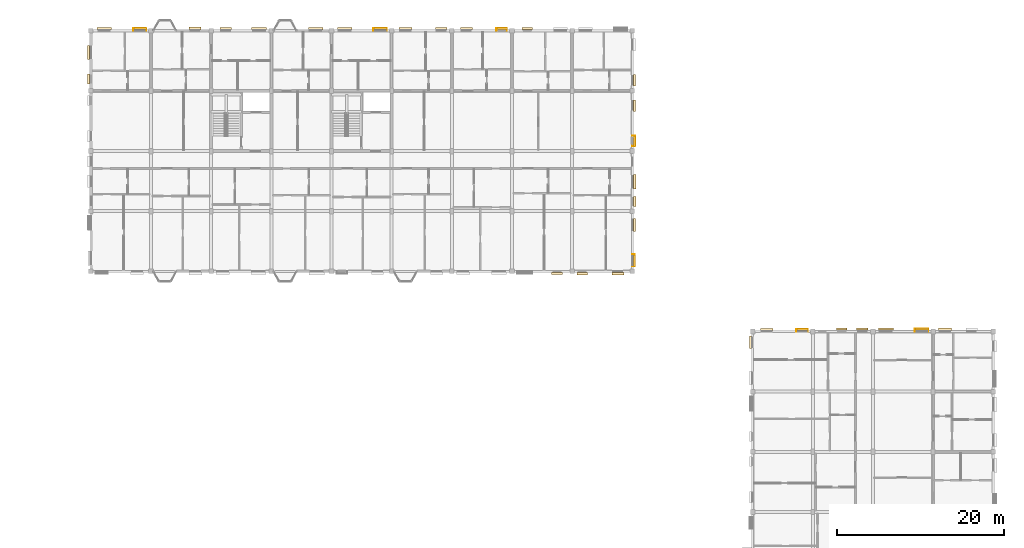
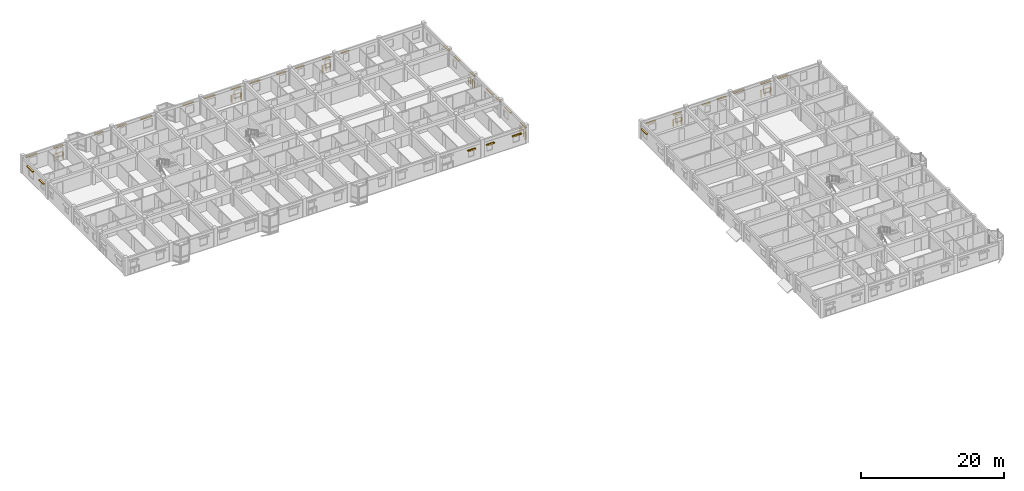
# One storey, part 74 of 75: 33 coverings, 7 railings.
"""IFC4 building model written with IfcOpenShell, lengths in metres."""

from ifc_helpers import new_model, si_unit, direction, frame, origin, origin_2d, place, context, subcontext, project, spatial, rectangle, circle, extrude, material, layer, layer_set, type_object, element, save


model = new_model("IFC4")

# Units and contexts
model_context = context("Model", 3, precision=1e-05, world=origin(), true_north=direction((0.0, 1.0)))
body_context = subcontext(model_context, "Body", "Model", "MODEL_VIEW")
ifc_project = project(units=[si_unit("LENGTHUNIT", "METRE"), si_unit("AREAUNIT", "SQUARE_METRE"), si_unit("VOLUMEUNIT", "CUBIC_METRE"), si_unit("PLANEANGLEUNIT", "RADIAN"), si_unit("MASSUNIT", "GRAM", prefix="KILO"), si_unit("THERMODYNAMICTEMPERATUREUNIT", "KELVIN"), si_unit("POWERUNIT", "WATT")], contexts=[model_context])

# Site, building, storey
site_placement = place(None, origin())
site = spatial("IfcSite", under=ifc_project, at=site_placement, CompositionType="ELEMENT")
building_placement = place(site_placement, origin())
building = spatial("IfcBuilding", under=site, at=building_placement, Name="Tavuni Mirador Residences", CompositionType="ELEMENT")
storey_placement = place(building_placement, frame((0.0, 0.0, 20.25)))
storey = spatial("IfcBuildingStorey", under=building, at=storey_placement, Name="L06", CompositionType="ELEMENT", Elevation=20.25)

# Coverings
ifc_material_1 = material(Name="Natural coral limestone", Category="masonry")
ifc_layer = layer(ifc_material_1, 0.054931640625, Name="Natural coral limestone", Category="masonry")
ifc_layer_set = layer_set([ifc_layer], Name="Natural coral limestone")
covering_type = type_object("IfcCoveringType", Name="CVT-CLAD-CORAL", PredefinedType="CLADDING", material=ifc_layer_set)
for number, where, z_axis, x_axis, name in (
    (1, (66.5849609375, 143.755615234375, 1.955078125), (0.0, 0.0, 1.0), (1.0, 0.0, 0.0), "HOOD-0674"),
    (2, (69.5849609375, 143.712890625, 1.955078125), (0.0, 0.0, 1.0), (1.0, 0.0, 0.0), "HOOD-0675"),
):
    element("IfcCovering", number, at=place(storey_placement, frame(where, z_axis=z_axis, x_axis=x_axis)), inside=storey, type_object=covering_type, Name=name, PredefinedType="CLADDING", context=body_context, shape_type="SweptSolid", body=[
        extrude(rectangle(XDim=1.260009765625, YDim=0.25, at=origin_2d()), origin(), (0.0, 0.0, 1.0), 0.14990234375),
    ])
for number, where, z_axis, x_axis, name in (
    (3, (73.864990234375, 143.712890625, 1.955078125), (0.0, 0.0, 1.0), (1.0, 0.0, 0.0), "HOOD-0676"),
    (4, (75.844482421875, 145.264892578125, 1.955078125), (0.0, 0.0, 1.0), (0.0, 1.0, 0.0), "HOOD-0677"),
):
    element("IfcCovering", number, at=place(storey_placement, frame(where, z_axis=z_axis, x_axis=x_axis)), inside=storey, type_object=covering_type, Name=name, PredefinedType="CLADDING", context=body_context, shape_type="SweptSolid", body=[
        extrude(rectangle(XDim=1.419921875, YDim=0.25, at=origin_2d()), origin(), (0.0, 0.0, 1.0), 0.14990234375),
    ])
covering_1_placement = place(storey_placement, frame((75.844482421875, 149.544921875, 1.955078125), z_axis=(0.0, 0.0, 1.0), x_axis=(0.0, 1.0, 0.0)))
element("IfcCovering", 5, at=covering_1_placement, inside=storey, type_object=covering_type, Name="HOOD-0678", PredefinedType="CLADDING", context=body_context, shape_type="SweptSolid", body=[
    extrude(rectangle(XDim=1.580078125, YDim=0.25, at=origin_2d()), origin(), (0.0, 0.0, 1.0), 0.14990234375),
])
covering_2_placement = place(storey_placement, frame((75.886962890625, 152.367431640625, 2.06494140625), z_axis=(0.0, 0.0, 1.0), x_axis=(0.0, 1.0, 0.0)))
element("IfcCovering", 6, at=covering_2_placement, inside=storey, type_object=covering_type, Name="HOOD-0679", PredefinedType="CLADDING", context=body_context, shape_type="SweptSolid", body=[
    extrude(rectangle(XDim=1.219970703125, YDim=0.25, at=origin_2d()), origin(), (0.0, 0.0, 1.0), 0.14990234375),
])
covering_3_placement = place(storey_placement, frame((75.886962890625, 154.7099609375, 1.955078125), z_axis=(0.0, 0.0, 1.0), x_axis=(0.0, 1.0, 0.0)))
element("IfcCovering", 7, at=covering_3_placement, inside=storey, type_object=covering_type, Name="HOOD-0680", PredefinedType="CLADDING", context=body_context, shape_type="SweptSolid", body=[
    extrude(rectangle(XDim=1.739990234375, YDim=0.25, at=origin_2d()), origin(), (0.0, 0.0, 1.0), 0.14990234375),
])
covering_4_placement = place(storey_placement, frame((75.87939453125, 159.56494140625, 2.06494140625), z_axis=(0.0, 0.0, 1.0), x_axis=(0.0, 1.0, 0.0)))
element("IfcCovering", 8, at=covering_4_placement, inside=storey, type_object=covering_type, Name="HOOD-0681", PredefinedType="CLADDING", context=body_context, shape_type="SweptSolid", body=[
    extrude(rectangle(XDim=1.219970703125, YDim=0.25, at=origin_2d()), origin(), (0.0, 0.0, 1.0), 0.14990234375),
])
for number, where, z_axis, x_axis, name in (
    (9, (75.87939453125, 163.844970703125, 2.06494140625), (0.0, 0.0, 1.0), (0.0, 1.0, 0.0), "HOOD-0682"),
    (10, (75.87451171875, 166.844970703125, 2.06494140625), (0.0, 0.0, 1.0), (0.0, 1.0, 0.0), "HOOD-0683"),
):
    element("IfcCovering", number, at=place(storey_placement, frame(where, z_axis=z_axis, x_axis=x_axis)), inside=storey, type_object=covering_type, Name=name, PredefinedType="CLADDING", context=body_context, shape_type="SweptSolid", body=[
        extrude(rectangle(XDim=1.3798828125, YDim=0.25, at=origin_2d()), origin(), (0.0, 0.0, 1.0), 0.14990234375),
    ])
for number, where, z_axis, x_axis, name in (
    (11, (63.02490234375, 173.04443359375, 2.1650390625), (0.0, 0.0, 1.0), (-1.0, 0.0, 0.0), "HOOD-0688"),
    (12, (60.02490234375, 173.049560546875, 2.1650390625), (0.0, 0.0, 1.0), (-1.0, 0.0, 0.0), "HOOD-0689"),
):
    element("IfcCovering", number, at=place(storey_placement, frame(where, z_axis=z_axis, x_axis=x_axis)), inside=storey, type_object=covering_type, Name=name, PredefinedType="CLADDING", context=body_context, shape_type="SweptSolid", body=[
        extrude(rectangle(XDim=1.239990234375, YDim=0.25, at=origin_2d()), origin(), (0.0, 0.0, 1.0), 0.14990234375),
    ])
for number, where, z_axis, x_axis, name in (
    (13, (55.7451171875, 173.049560546875, 2.1650390625), (0.0, 0.0, 1.0), (-1.0, 0.0, 0.0), "HOOD-0690"),
    (14, (52.7451171875, 173.0595703125, 2.1650390625), (0.0, 0.0, 1.0), (-1.0, 0.0, 0.0), "HOOD-0691"),
):
    element("IfcCovering", number, at=place(storey_placement, frame(where, z_axis=z_axis, x_axis=x_axis)), inside=storey, type_object=covering_type, Name=name, PredefinedType="CLADDING", context=body_context, shape_type="SweptSolid", body=[
        extrude(rectangle(XDim=1.39990234375, YDim=0.25, at=origin_2d()), origin(), (0.0, 0.0, 1.0), 0.14990234375),
    ])
for number, where, z_axis, x_axis, name in (
    (15, (48.465087890625, 173.0595703125, 2.1650390625), (0.0, 0.0, 1.0), (-1.0, 0.0, 0.0), "HOOD-0692"),
    (16, (45.465087890625, 173.06689453125, 2.1650390625), (0.0, 0.0, 1.0), (-1.0, 0.0, 0.0), "HOOD-0693"),
):
    element("IfcCovering", number, at=place(storey_placement, frame(where, z_axis=z_axis, x_axis=x_axis)), inside=storey, type_object=covering_type, Name=name, PredefinedType="CLADDING", context=body_context, shape_type="SweptSolid", body=[
        extrude(rectangle(XDim=1.56005859375, YDim=0.25, at=origin_2d()), origin(), (0.0, 0.0, 1.0), 0.14990234375),
    ])
covering_5_placement = place(storey_placement, frame((41.18505859375, 173.06689453125, 2.1650390625), z_axis=(0.0, 0.0, 1.0), x_axis=(-1.0, 0.0, 0.0)))
element("IfcCovering", 17, at=covering_5_placement, inside=storey, type_object=covering_type, Name="HOOD-0694", PredefinedType="CLADDING", context=body_context, shape_type="SweptSolid", body=[
    extrude(rectangle(XDim=1.719970703125, YDim=0.25, at=origin_2d()), origin(), (0.0, 0.0, 1.0), 0.14990234375),
])
covering_6_placement = place(storey_placement, frame((37.70751953125, 173.07958984375, 2.16015625), z_axis=(0.0, 0.0, 1.0), x_axis=(-1.0, 0.0, 0.0)))
element("IfcCovering", 18, at=covering_6_placement, inside=storey, type_object=covering_type, Name="HOOD-0695", PredefinedType="CLADDING", context=body_context, shape_type="SweptSolid", body=[
    extrude(rectangle(XDim=1.739990234375, YDim=0.260009765625, at=origin_2d()), origin(), (0.0, 0.0, 1.0), 0.159912109375),
])
covering_7_placement = place(storey_placement, frame((30.945068359375, 173.07958984375, 2.1650390625), z_axis=(0.0, 0.0, 1.0), x_axis=(-1.0, 0.0, 0.0)))
element("IfcCovering", 19, at=covering_7_placement, inside=storey, type_object=covering_type, Name="HOOD-0696", PredefinedType="CLADDING", context=body_context, shape_type="SweptSolid", body=[
    extrude(rectangle(XDim=1.800048828125, YDim=0.25, at=origin_2d()), origin(), (0.0, 0.0, 1.0), 0.14990234375),
])
covering_8_placement = place(storey_placement, frame((26.949951171875, 173.07958984375, 2.2451171875), z_axis=(0.0, 0.0, 1.0), x_axis=(-1.0, 0.0, 0.0)))
element("IfcCovering", 20, at=covering_8_placement, inside=storey, type_object=covering_type, Name="HOOD-0697", PredefinedType="CLADDING", context=body_context, shape_type="SweptSolid", body=[
    extrude(rectangle(XDim=1.389892578125, YDim=0.25, at=origin_2d()), origin(), (0.0, 0.0, 1.0), 0.14990234375),
])
covering_9_placement = place(storey_placement, frame((23.267578125, 173.092041015625, 2.240234375), z_axis=(0.0, 0.0, 1.0), x_axis=(-1.0, 0.0, 0.0)))
element("IfcCovering", 21, at=covering_9_placement, inside=storey, type_object=covering_type, Name="HOOD-0698", PredefinedType="CLADDING", context=body_context, shape_type="SweptSolid", body=[
    extrude(rectangle(XDim=1.409912109375, YDim=0.260009765625, at=origin_2d()), origin(), (0.0, 0.0, 1.0), 0.159912109375),
])
covering_10_placement = place(storey_placement, frame((16.699951171875, 173.04443359375, 2.2451171875), z_axis=(0.0, 0.0, 1.0), x_axis=(-1.0, 0.0, 0.0)))
element("IfcCovering", 22, at=covering_10_placement, inside=storey, type_object=covering_type, Name="HOOD-0699", PredefinedType="CLADDING", context=body_context, shape_type="SweptSolid", body=[
    extrude(rectangle(XDim=1.489990234375, YDim=0.25, at=origin_2d()), origin(), (0.0, 0.0, 1.0), 0.14990234375),
])
for number, where, z_axis, x_axis, name in (
    (23, (12.39990234375, 173.04443359375, 2.2451171875), (0.0, 0.0, 1.0), (-1.0, 0.0, 0.0), "HOOD-0700"),
    (24, (10.525390625, 170.202392578125, 2.2451171875), (0.0, 0.0, 1.0), (0.0, -1.0, 0.0), "HOOD-0701"),
):
    element("IfcCovering", number, at=place(storey_placement, frame(where, z_axis=z_axis, x_axis=x_axis)), inside=storey, type_object=covering_type, Name=name, PredefinedType="CLADDING", context=body_context, shape_type="SweptSolid", body=[
        extrude(rectangle(XDim=1.68994140625, YDim=0.25, at=origin_2d()), origin(), (0.0, 0.0, 1.0), 0.14990234375),
    ])
covering_11_placement = place(storey_placement, frame((10.525390625, 167.017578125, 1.955078125), z_axis=(0.0, 0.0, 1.0), x_axis=(0.0, -1.0, 0.0)))
element("IfcCovering", 25, at=covering_11_placement, inside=storey, type_object=covering_type, Name="HOOD-0702", PredefinedType="CLADDING", context=body_context, shape_type="SweptSolid", body=[
    extrude(rectangle(XDim=1.18994140625, YDim=0.25, at=origin_2d()), origin(), (0.0, 0.0, 1.0), 0.14990234375),
])
for number, where, z_axis, x_axis, name in (
    (26, (113.017578125, 137.074462890625, 2.2451171875), (0.0, 0.0, 1.0), (-1.0, 0.0, 0.0), "HOOD-1015"),
    (27, (110.25, 137.07958984375, 2.2451171875), (0.0, 0.0, 1.0), (-1.0, 0.0, 0.0), "HOOD-1016"),
):
    element("IfcCovering", number, at=place(storey_placement, frame(where, z_axis=z_axis, x_axis=x_axis)), inside=storey, type_object=covering_type, Name=name, PredefinedType="CLADDING", context=body_context, shape_type="SweptSolid", body=[
        extrude(rectangle(XDim=1.590087890625, YDim=0.25, at=origin_2d()), origin(), (0.0, 0.0, 1.0), 0.14990234375),
    ])
covering_12_placement = place(storey_placement, frame((105.949951171875, 137.07958984375, 2.2451171875), z_axis=(0.0, 0.0, 1.0), x_axis=(-1.0, 0.0, 0.0)))
element("IfcCovering", 28, at=covering_12_placement, inside=storey, type_object=covering_type, Name="HOOD-1017", PredefinedType="CLADDING", context=body_context, shape_type="SweptSolid", body=[
    extrude(rectangle(XDim=1.7900390625, YDim=0.25, at=origin_2d()), origin(), (0.0, 0.0, 1.0), 0.14990234375),
])
covering_13_placement = place(storey_placement, frame((103.142578125, 137.0869140625, 2.06494140625), z_axis=(0.0, 0.0, 1.0), x_axis=(-1.0, 0.0, 0.0)))
element("IfcCovering", 29, at=covering_13_placement, inside=storey, type_object=covering_type, Name="HOOD-1018", PredefinedType="CLADDING", context=body_context, shape_type="SweptSolid", body=[
    extrude(rectangle(XDim=1.3798828125, YDim=0.25, at=origin_2d()), origin(), (0.0, 0.0, 1.0), 0.14990234375),
])
covering_14_placement = place(storey_placement, frame((100.659912109375, 137.0869140625, 1.955078125), z_axis=(0.0, 0.0, 1.0), x_axis=(-1.0, 0.0, 0.0)))
element("IfcCovering", 30, at=covering_14_placement, inside=storey, type_object=covering_type, Name="HOOD-1019", PredefinedType="CLADDING", context=body_context, shape_type="SweptSolid", body=[
    extrude(rectangle(XDim=1.260009765625, YDim=0.25, at=origin_2d()), origin(), (0.0, 0.0, 1.0), 0.14990234375),
])
covering_15_placement = place(storey_placement, frame((95.97509765625, 137.04443359375, 1.955078125), z_axis=(0.0, 0.0, 1.0), x_axis=(-1.0, 0.0, 0.0)))
element("IfcCovering", 31, at=covering_15_placement, inside=storey, type_object=covering_type, Name="HOOD-1020", PredefinedType="CLADDING", context=body_context, shape_type="SweptSolid", body=[
    extrude(rectangle(XDim=1.340087890625, YDim=0.25, at=origin_2d()), origin(), (0.0, 0.0, 1.0), 0.14990234375),
])
for number, where, z_axis, x_axis, name in (
    (32, (91.695068359375, 137.04443359375, 1.955078125), (0.0, 0.0, 1.0), (-1.0, 0.0, 0.0), "HOOD-1021"),
    (33, (89.75048828125, 135.4951171875, 1.955078125), (0.0, 0.0, 1.0), (0.0, -1.0, 0.0), "HOOD-1022"),
):
    element("IfcCovering", number, at=place(storey_placement, frame(where, z_axis=z_axis, x_axis=x_axis)), inside=storey, type_object=covering_type, Name=name, PredefinedType="CLADDING", context=body_context, shape_type="SweptSolid", body=[
        extrude(rectangle(XDim=1.5, YDim=0.25, at=origin_2d()), origin(), (0.0, 0.0, 1.0), 0.14990234375),
    ])

# Railings
ifc_material_2 = material(Name="Structural steel S355", Category="steel")
railing_type = type_object("IfcRailingType", Name="RT-BL1150", PredefinedType="BALUSTRADE", material=ifc_material_2)
railing_1_placement = place(storey_placement, frame((75.60009765625, 144.625, 0.0400390625)))
element("IfcRailing", 34, at=railing_1_placement, inside=storey, type_object=railing_type, Name="BALC-BLK-C-L06-E00", PredefinedType="BALUSTRADE", context=body_context, shape_type="SweptSolid", body=[
    extrude(circle(Radius=0.02392578125, at=origin_2d()), frame((0.0, 0.0, 1.1259765625), z_axis=(1.0, 0.0, 0.0), x_axis=(0.0, 1.0, 0.0)), (0.0, 0.0, 1.0), 0.262451171875),
    extrude(circle(Radius=0.02392578125, at=origin_2d()), frame((0.262451171875, 0.0, 1.1259765625), z_axis=(0.0, 1.0, 0.0), x_axis=(-1.0, 0.0, 0.0)), (0.0, 0.0, 1.0), 1.39990234375),
    extrude(circle(Radius=0.02392578125, at=origin_2d()), frame((0.262451171875, 1.39990234375, 1.1259765625), z_axis=(-1.0, 0.0, 0.0), x_axis=(0.0, -1.0, 0.0)), (0.0, 0.0, 1.0), 0.262451171875),
    extrude(circle(Radius=0.02099609375, at=origin_2d()), origin(), (0.0, 0.0, 1.0), 1.101806640625),
    extrude(circle(Radius=0.02099609375, at=origin_2d()), frame((0.262451171875, 0.0, 0.0)), (0.0, 0.0, 1.0), 1.101806640625),
    extrude(circle(Radius=0.02099609375, at=origin_2d()), frame((0.262451171875, 0.699951171875, 0.0)), (0.0, 0.0, 1.0), 1.101806640625),
    extrude(circle(Radius=0.02099609375, at=origin_2d()), frame((0.262451171875, 1.39990234375, 0.0)), (0.0, 0.0, 1.0), 1.101806640625),
    extrude(circle(Radius=0.02099609375, at=origin_2d()), frame((0.0, 1.39990234375, 0.0)), (0.0, 0.0, 1.0), 1.101806640625),
])
railing_2_placement = place(storey_placement, frame((75.60009765625, 159.02490234375, 0.0400390625)))
element("IfcRailing", 35, at=railing_2_placement, inside=storey, type_object=railing_type, Name="BALC-BLK-C-L06-E02", PredefinedType="BALUSTRADE", context=body_context, shape_type="SweptSolid", body=[
    extrude(circle(Radius=0.02392578125, at=origin_2d()), frame((0.0, 0.0, 1.1259765625), z_axis=(1.0, 0.0, 0.0), x_axis=(0.0, 1.0, 0.0)), (0.0, 0.0, 1.0), 0.29736328125),
    extrude(circle(Radius=0.02392578125, at=origin_2d()), frame((0.29736328125, 0.0, 1.1259765625), z_axis=(0.0, 1.0, 0.0), x_axis=(-1.0, 0.0, 0.0)), (0.0, 0.0, 1.0), 1.2001953125),
    extrude(circle(Radius=0.02392578125, at=origin_2d()), frame((0.29736328125, 1.2001953125, 1.1259765625), z_axis=(-1.0, 0.0, 0.0), x_axis=(0.0, -1.0, 0.0)), (0.0, 0.0, 1.0), 0.29736328125),
    extrude(circle(Radius=0.02099609375, at=origin_2d()), origin(), (0.0, 0.0, 1.0), 1.101806640625),
    extrude(circle(Radius=0.02099609375, at=origin_2d()), frame((0.29736328125, 0.0, 0.0)), (0.0, 0.0, 1.0), 1.101806640625),
    extrude(circle(Radius=0.02099609375, at=origin_2d()), frame((0.29736328125, 0.60009765625, 0.0)), (0.0, 0.0, 1.0), 1.101806640625),
    extrude(circle(Radius=0.02099609375, at=origin_2d()), frame((0.29736328125, 1.2001953125, 0.0)), (0.0, 0.0, 1.0), 1.101806640625),
    extrude(circle(Radius=0.02099609375, at=origin_2d()), frame((0.0, 1.2001953125, 0.0)), (0.0, 0.0, 1.0), 1.101806640625),
])
railing_3_placement = place(storey_placement, frame((60.574951171875, 172.800048828125, 0.0400390625)))
element("IfcRailing", 36, at=railing_3_placement, inside=storey, type_object=railing_type, Name="BALC-BLK-C-L06-N06", PredefinedType="BALUSTRADE", context=body_context, shape_type="SweptSolid", body=[
    extrude(circle(Radius=0.02392578125, at=origin_2d()), frame((0.0, 0.0, 1.1259765625), z_axis=(0.0, 1.0, 0.0), x_axis=(-1.0, 0.0, 0.0)), (0.0, 0.0, 1.0), 0.267333984375),
    extrude(circle(Radius=0.02392578125, at=origin_2d()), frame((0.0, 0.267333984375, 1.1259765625), z_axis=(-1.0, 0.0, 0.0), x_axis=(0.0, -1.0, 0.0)), (0.0, 0.0, 1.0), 1.219970703125),
    extrude(circle(Radius=0.02392578125, at=origin_2d()), frame((-1.219970703125, 0.267333984375, 1.1259765625), z_axis=(0.0, -1.0, 0.0), x_axis=(1.0, 0.0, 0.0)), (0.0, 0.0, 1.0), 0.267333984375),
    extrude(circle(Radius=0.02099609375, at=origin_2d()), origin(), (0.0, 0.0, 1.0), 1.101806640625),
    extrude(circle(Radius=0.02099609375, at=origin_2d()), frame((0.0, 0.267333984375, 0.0)), (0.0, 0.0, 1.0), 1.101806640625),
    extrude(circle(Radius=0.02099609375, at=origin_2d()), frame((-0.60986328125, 0.267333984375, 0.0)), (0.0, 0.0, 1.0), 1.101806640625),
    extrude(circle(Radius=0.02099609375, at=origin_2d()), frame((-1.219970703125, 0.267333984375, 0.0)), (0.0, 0.0, 1.0), 1.101806640625),
    extrude(circle(Radius=0.02099609375, at=origin_2d()), frame((-1.219970703125, 0.0, 0.0)), (0.0, 0.0, 1.0), 1.101806640625),
])
railing_4_placement = place(storey_placement, frame((46.175048828125, 172.800048828125, 0.0400390625)))
element("IfcRailing", 37, at=railing_4_placement, inside=storey, type_object=railing_type, Name="BALC-BLK-C-L06-N04", PredefinedType="BALUSTRADE", context=body_context, shape_type="SweptSolid", body=[
    extrude(circle(Radius=0.02392578125, at=origin_2d()), frame((0.0, 0.0, 1.1259765625), z_axis=(0.0, 1.0, 0.0), x_axis=(-1.0, 0.0, 0.0)), (0.0, 0.0, 1.0), 0.284912109375),
    extrude(circle(Radius=0.02392578125, at=origin_2d()), frame((0.0, 0.284912109375, 1.1259765625), z_axis=(-1.0, 0.0, 0.0), x_axis=(0.0, -1.0, 0.0)), (0.0, 0.0, 1.0), 1.5400390625),
    extrude(circle(Radius=0.02392578125, at=origin_2d()), frame((-1.5400390625, 0.284912109375, 1.1259765625), z_axis=(0.0, -1.0, 0.0), x_axis=(1.0, 0.0, 0.0)), (0.0, 0.0, 1.0), 0.284912109375),
    extrude(circle(Radius=0.02099609375, at=origin_2d()), origin(), (0.0, 0.0, 1.0), 1.101806640625),
    extrude(circle(Radius=0.02099609375, at=origin_2d()), frame((0.0, 0.284912109375, 0.0)), (0.0, 0.0, 1.0), 1.101806640625),
    extrude(circle(Radius=0.02099609375, at=origin_2d()), frame((-0.77001953125, 0.284912109375, 0.0)), (0.0, 0.0, 1.0), 1.101806640625),
    extrude(circle(Radius=0.02099609375, at=origin_2d()), frame((-1.5400390625, 0.284912109375, 0.0)), (0.0, 0.0, 1.0), 1.101806640625),
    extrude(circle(Radius=0.02099609375, at=origin_2d()), frame((-1.5400390625, 0.0, 0.0)), (0.0, 0.0, 1.0), 1.101806640625),
])
railing_5_placement = place(storey_placement, frame((17.375, 172.800048828125, 0.0400390625)))
element("IfcRailing", 38, at=railing_5_placement, inside=storey, type_object=railing_type, Name="BALC-BLK-C-L06-N00", PredefinedType="BALUSTRADE", context=body_context, shape_type="SweptSolid", body=[
    extrude(circle(Radius=0.02392578125, at=origin_2d()), frame((0.0, 0.0, 1.1259765625), z_axis=(0.0, 1.0, 0.0), x_axis=(-1.0, 0.0, 0.0)), (0.0, 0.0, 1.0), 0.262451171875),
    extrude(circle(Radius=0.02392578125, at=origin_2d()), frame((0.0, 0.262451171875, 1.1259765625), z_axis=(-1.0, 0.0, 0.0), x_axis=(0.0, -1.0, 0.0)), (0.0, 0.0, 1.0), 1.469970703125),
    extrude(circle(Radius=0.02392578125, at=origin_2d()), frame((-1.469970703125, 0.262451171875, 1.1259765625), z_axis=(0.0, -1.0, 0.0), x_axis=(1.0, 0.0, 0.0)), (0.0, 0.0, 1.0), 0.262451171875),
    extrude(circle(Radius=0.02099609375, at=origin_2d()), origin(), (0.0, 0.0, 1.0), 1.101806640625),
    extrude(circle(Radius=0.02099609375, at=origin_2d()), frame((0.0, 0.262451171875, 0.0)), (0.0, 0.0, 1.0), 1.101806640625),
    extrude(circle(Radius=0.02099609375, at=origin_2d()), frame((-0.73486328125, 0.262451171875, 0.0)), (0.0, 0.0, 1.0), 1.101806640625),
    extrude(circle(Radius=0.02099609375, at=origin_2d()), frame((-1.469970703125, 0.262451171875, 0.0)), (0.0, 0.0, 1.0), 1.101806640625),
    extrude(circle(Radius=0.02099609375, at=origin_2d()), frame((-1.469970703125, 0.0, 0.0)), (0.0, 0.0, 1.0), 1.101806640625),
])
railing_6_placement = place(storey_placement, frame((110.97509765625, 136.800048828125, 0.0400390625)))
element("IfcRailing", 39, at=railing_6_placement, inside=storey, type_object=railing_type, Name="BALC-BLK-D-L06-N02", PredefinedType="BALUSTRADE", context=body_context, shape_type="SweptSolid", body=[
    extrude(circle(Radius=0.02392578125, at=origin_2d()), frame((0.0, 0.0, 1.1259765625), z_axis=(0.0, 1.0, 0.0), x_axis=(-1.0, 0.0, 0.0)), (0.0, 0.0, 1.0), 0.29736328125),
    extrude(circle(Radius=0.02392578125, at=origin_2d()), frame((0.0, 0.29736328125, 1.1259765625), z_axis=(-1.0, 0.0, 0.0), x_axis=(0.0, -1.0, 0.0)), (0.0, 0.0, 1.0), 1.570068359375),
    extrude(circle(Radius=0.02392578125, at=origin_2d()), frame((-1.570068359375, 0.29736328125, 1.1259765625), z_axis=(0.0, -1.0, 0.0), x_axis=(1.0, 0.0, 0.0)), (0.0, 0.0, 1.0), 0.29736328125),
    extrude(circle(Radius=0.02099609375, at=origin_2d()), origin(), (0.0, 0.0, 1.0), 1.101806640625),
    extrude(circle(Radius=0.02099609375, at=origin_2d()), frame((0.0, 0.29736328125, 0.0)), (0.0, 0.0, 1.0), 1.101806640625),
    extrude(circle(Radius=0.02099609375, at=origin_2d()), frame((-0.78515625, 0.29736328125, 0.0)), (0.0, 0.0, 1.0), 1.101806640625),
    extrude(circle(Radius=0.02099609375, at=origin_2d()), frame((-1.570068359375, 0.29736328125, 0.0)), (0.0, 0.0, 1.0), 1.101806640625),
    extrude(circle(Radius=0.02099609375, at=origin_2d()), frame((-1.570068359375, 0.0, 0.0)), (0.0, 0.0, 1.0), 1.101806640625),
])
railing_7_placement = place(storey_placement, frame((96.574951171875, 136.800048828125, 0.0400390625)))
element("IfcRailing", 40, at=railing_7_placement, inside=storey, type_object=railing_type, Name="BALC-BLK-D-L06-N00", PredefinedType="BALUSTRADE", context=body_context, shape_type="SweptSolid", body=[
    extrude(circle(Radius=0.02392578125, at=origin_2d()), frame((0.0, 0.0, 1.1259765625), z_axis=(0.0, 1.0, 0.0), x_axis=(-1.0, 0.0, 0.0)), (0.0, 0.0, 1.0), 0.262451171875),
    extrude(circle(Radius=0.02392578125, at=origin_2d()), frame((0.0, 0.262451171875, 1.1259765625), z_axis=(-1.0, 0.0, 0.0), x_axis=(0.0, -1.0, 0.0)), (0.0, 0.0, 1.0), 1.320068359375),
    extrude(circle(Radius=0.02392578125, at=origin_2d()), frame((-1.320068359375, 0.262451171875, 1.1259765625), z_axis=(0.0, -1.0, 0.0), x_axis=(1.0, 0.0, 0.0)), (0.0, 0.0, 1.0), 0.262451171875),
    extrude(circle(Radius=0.02099609375, at=origin_2d()), origin(), (0.0, 0.0, 1.0), 1.101806640625),
    extrude(circle(Radius=0.02099609375, at=origin_2d()), frame((0.0, 0.262451171875, 0.0)), (0.0, 0.0, 1.0), 1.101806640625),
    extrude(circle(Radius=0.02099609375, at=origin_2d()), frame((-0.66015625, 0.262451171875, 0.0)), (0.0, 0.0, 1.0), 1.101806640625),
    extrude(circle(Radius=0.02099609375, at=origin_2d()), frame((-1.320068359375, 0.262451171875, 0.0)), (0.0, 0.0, 1.0), 1.101806640625),
    extrude(circle(Radius=0.02099609375, at=origin_2d()), frame((-1.320068359375, 0.0, 0.0)), (0.0, 0.0, 1.0), 1.101806640625),
])

save(model, "model.ifc")
